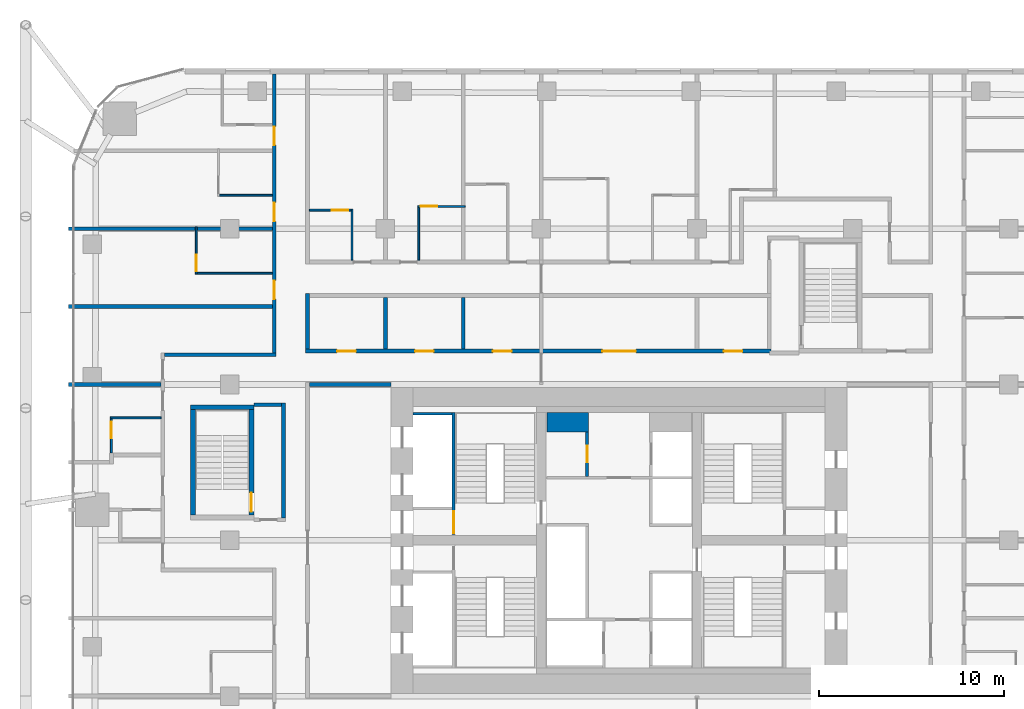
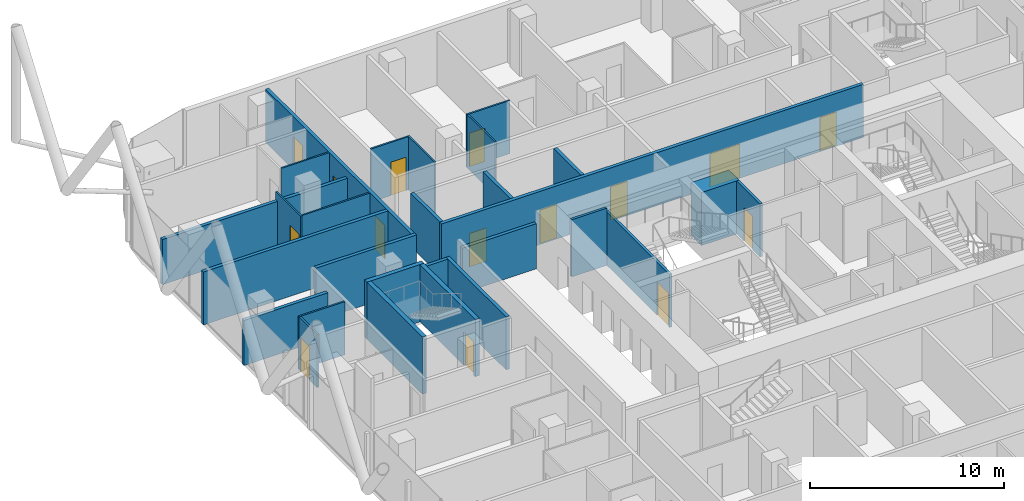
# One storey, part 33 of 38: 28 walls, 15 doors, 15 openings.
"""IFC4 building model written with IfcOpenShell, lengths in metres."""

import ifcopenshell
import ifcopenshell.guid

model = None  # the IFC model being written
_history = None  # IfcOwnerHistory: only IFC2X3 demands one
_inside = {}  # id of a spatial element -> (the spatial element, [elements in it])
_under = {}  # id of a project, library or spatial element -> (it, [spatial elements below it])
_declared = {}  # id of a project -> (the project, [libraries it declares])
_typed = {}  # id of a type object -> (the type object, [elements of that type])
_made_of = {}  # id of a material, layer set ... -> (it, [elements and type objects made of it])


def new_model(schema):
    """Start an empty IFC model of exactly this schema.

    Asked for "IFC4X3", IfcOpenShell would pick the latest addendum, in which some entities
    have other attributes; the version numbers below select the first issue.
    IFC2X3 requires an IfcOwnerHistory on every rooted entity: one is made here for all.
    """
    global model, _history
    if schema == "IFC4X3":
        model = ifcopenshell.file(schema_version=(4, 3, 0, 0))
    else:
        model = ifcopenshell.file(schema=schema)
    _inside.clear()
    _under.clear()
    _declared.clear()
    _typed.clear()
    _made_of.clear()
    _history = None
    if model.schema == "IFC2X3":
        org = make("IfcOrganization", Name="unknown")
        user = make(
            "IfcPersonAndOrganization",
            ThePerson=make("IfcPerson", FamilyName="unknown"),
            TheOrganization=org,
        )
        app = make(
            "IfcApplication",
            ApplicationDeveloper=org,
            Version="unknown",
            ApplicationFullName="unknown",
            ApplicationIdentifier="unknown",
        )
        _history = make(
            "IfcOwnerHistory",
            OwningUser=user,
            OwningApplication=app,
            ChangeAction="ADDED",
            CreationDate=0,
        )
    return model


def make(cls, **values):
    """One entity of the class cls with the attributes given. An attribute that is None is left unset."""
    return model.create_entity(
        cls, **{name: value for name, value in values.items() if value is not None}
    )


def rooted(cls, **values):
    """An entity with a GlobalId (a new one), such as an element, a storey or a relation."""
    return make(cls, GlobalId=ifcopenshell.guid.new(), OwnerHistory=_history, **values)


def si_unit(unit_type, name, prefix=None):
    """IfcSIUnit, for example si_unit("LENGTHUNIT", "METRE", prefix="MILLI")."""
    return make("IfcSIUnit", UnitType=unit_type, Prefix=prefix, Name=name)


def assignment(units):
    """IfcUnitAssignment: the units of a project."""
    return None if units is None else make("IfcUnitAssignment", Units=units)


def point(xyz):
    """IfcCartesianPoint."""
    return None if xyz is None else make("IfcCartesianPoint", Coordinates=xyz)


def direction(xyz):
    """IfcDirection."""
    return None if xyz is None else make("IfcDirection", DirectionRatios=xyz)


def frame(location, z_axis=None, x_axis=None):
    """IfcAxis2Placement3D, a coordinate frame: its origin and axes. An axis left out is left unset."""
    return make(
        "IfcAxis2Placement3D",
        Location=point(location),
        Axis=direction(z_axis),
        RefDirection=direction(x_axis),
    )


def frame_2d(location, x_axis=None):
    """IfcAxis2Placement2D, a coordinate frame in the plane: its origin and x axis."""
    return make(
        "IfcAxis2Placement2D", Location=point(location), RefDirection=direction(x_axis)
    )


def origin():
    """The frame at (0, 0, 0) with its axes left unset."""
    return frame((0.0, 0.0, 0.0))


def place(relative_to, where):
    """IfcLocalPlacement: puts the frame where relative to a parent placement (None: the world)."""
    return make(
        "IfcLocalPlacement", PlacementRelTo=relative_to, RelativePlacement=where
    )


def context(
    kind, dimensions, precision=None, world=None, true_north=None, identifier=None
):
    """IfcGeometricRepresentationContext, for example the 3D "Model" context."""
    return make(
        "IfcGeometricRepresentationContext",
        ContextIdentifier=identifier,
        ContextType=kind,
        CoordinateSpaceDimension=dimensions,
        Precision=precision,
        WorldCoordinateSystem=world,
        TrueNorth=true_north,
    )


def subcontext(parent, identifier, kind, view, scale=None):
    """IfcGeometricRepresentationSubContext, for example "Body" below "Model"."""
    return make(
        "IfcGeometricRepresentationSubContext",
        ContextIdentifier=identifier,
        ContextType=kind,
        ParentContext=parent,
        TargetScale=scale,
        TargetView=view,
    )


def project(units=None, contexts=None):
    """IfcProject with its units and contexts."""
    return rooted(
        "IfcProject",
        Name="project",
        RepresentationContexts=contexts,
        UnitsInContext=assignment(units),
    )


def spatial(cls, under=None, at=None, **own):
    """A site, building, storey or space (cls), placed at a placement, below another one or the project."""
    s = rooted(cls, ObjectPlacement=at, **own)
    if under is not None:
        _under.setdefault(under.id(), (under, []))[1].append(s)
    return s


def profile(cls, at=None, kind="AREA", **sizes):
    """A parametric profile (cls). Its sizes go by their IFC names, for example OverallWidth=200.0."""
    return make(cls, ProfileType=kind, Position=at, **sizes)


def rectangle(**sizes):
    """IfcRectangleProfileDef."""
    return profile("IfcRectangleProfileDef", **sizes)


def extrude(swept, where, along, depth):
    """IfcExtrudedAreaSolid: the profile swept, set in the frame where, extruded along a direction by depth."""
    return make(
        "IfcExtrudedAreaSolid",
        SweptArea=swept,
        Position=where,
        ExtrudedDirection=direction(along),
        Depth=depth,
    )


def shape(context_of_items, identifier, shape_type, items):
    """IfcShapeRepresentation: the items that make up one representation, for example the "Body"."""
    return make(
        "IfcShapeRepresentation",
        ContextOfItems=context_of_items,
        RepresentationIdentifier=identifier,
        RepresentationType=shape_type,
        Items=items,
    )


def material(Name=None, Category=None):
    """IfcMaterial."""
    return make("IfcMaterial", Name=Name, Category=Category)


def layer(
    of_material, thickness, ventilated=None, Name=None, Category=None, Priority=None
):
    """IfcMaterialLayer: one layer of a wall or slab, of a material (None: an air gap)."""
    return make(
        "IfcMaterialLayer",
        Material=of_material,
        LayerThickness=thickness,
        IsVentilated=ventilated,
        Name=Name,
        Category=Category,
        Priority=Priority,
    )


def layer_set(layers, Name=None):
    """IfcMaterialLayerSet."""
    return make("IfcMaterialLayerSet", MaterialLayers=layers, LayerSetName=Name)


def made_of(thing, what):
    """Note that an element or type object is made of a material, layer set ...; save() writes the relation."""
    if what is not None:
        _made_of.setdefault(what.id(), (what, []))[1].append(thing)
    return thing


def type_object(cls, material=None, **own):
    """A type object (cls), such as IfcWallType, which elements share."""
    return made_of(rooted(cls, **own), material)


def element(
    cls,
    number,
    at=None,
    inside=None,
    cuts=None,
    type_object=None,
    material=None,
    context=None,
    identifier="Body",
    shape_type=None,
    held_by="IfcProductDefinitionShape",
    body=None,
    shapes=None,
    **own,
):
    """One element of the class cls, such as IfcWall. Its Tag is "e" and its number.

    at: its placement. inside: the storey or other place that contains it. cuts: it is an
    opening in that element (IfcRelVoidsElement). A single representation is given by context,
    identifier, shape_type and body (its items); several are given by shapes. held_by: the class
    of the entity that holds the representations. save() writes the other relations.
    """
    e = rooted(cls, Tag="e%d" % number, ObjectPlacement=at, **own)
    if body is not None:
        shapes = [shape(context, identifier, shape_type, body)]
    if shapes is not None:
        e.Representation = make(held_by, Representations=shapes)
    if inside is not None:
        _inside.setdefault(inside.id(), (inside, []))[1].append(e)
    if cuts is not None:
        rooted(
            "IfcRelVoidsElement", RelatingBuildingElement=cuts, RelatedOpeningElement=e
        )
    if type_object is not None:
        _typed.setdefault(type_object.id(), (type_object, []))[1].append(e)
    return made_of(e, material)


def fill(opening, filler):
    """IfcRelFillsElement: the door or window that sits in an opening."""
    return rooted(
        "IfcRelFillsElement",
        RelatingOpeningElement=opening,
        RelatedBuildingElement=filler,
    )


def aggregate(whole, parts):
    """IfcRelAggregates: a whole, such as a stair, and the parts it consists of."""
    return rooted("IfcRelAggregates", RelatingObject=whole, RelatedObjects=parts)


def save(model, path):
    """Write the relations noted so far, then the file.

    IfcRelAggregates (storeys below a building ...), IfcRelContainedInSpatialStructure (elements
    in a storey), IfcRelDefinesByType, IfcRelAssociatesMaterial and IfcRelDeclares: one each for
    every whole, place, type object, material and project.
    """
    for whole, parts in _under.values():
        aggregate(whole, parts)
    for where, things in _inside.values():
        rooted(
            "IfcRelContainedInSpatialStructure",
            RelatedElements=things,
            RelatingStructure=where,
        )
    for kind, things in _typed.values():
        rooted("IfcRelDefinesByType", RelatedObjects=things, RelatingType=kind)
    for what, things in _made_of.values():
        rooted("IfcRelAssociatesMaterial", RelatedObjects=things, RelatingMaterial=what)
    for by, libraries in _declared.values():
        rooted("IfcRelDeclares", RelatingContext=by, RelatedDefinitions=libraries)
    model.write(path)


model = new_model("IFC4")

# Units and contexts
model_context = context("Model", 3, precision=1e-05, world=origin(), true_north=direction((0.0, 1.0)))
body_context = subcontext(model_context, "Body", "Model", "MODEL_VIEW")
ifc_project = project(units=[si_unit("LENGTHUNIT", "METRE"), si_unit("AREAUNIT", "SQUARE_METRE"), si_unit("VOLUMEUNIT", "CUBIC_METRE"), si_unit("PLANEANGLEUNIT", "RADIAN"), si_unit("MASSUNIT", "GRAM", prefix="KILO")], contexts=[model_context])

# Site, building, storey
site_placement = place(None, origin())
site = spatial("IfcSite", under=ifc_project, at=site_placement, CompositionType="ELEMENT")
building_placement = place(site_placement, origin())
building = spatial("IfcBuilding", under=site, at=building_placement, Name="Marenta Gate Hotel Tower", CompositionType="ELEMENT")
storey_placement = place(building_placement, frame((0.0, 0.0, 54.5)))
storey = spatial("IfcBuildingStorey", under=building, at=storey_placement, Name="L11", CompositionType="ELEMENT", Elevation=54.5)

# Walls
ifc_material_1 = material(Name="Concrete blockwork", Category="masonry")
ifc_layer_1 = layer(ifc_material_1, 0.199951171875)
ifc_layer_set_1 = layer_set([ifc_layer_1], Name="Concrete blockwork")
wall_type_1 = type_object("IfcWallType", Name="Core boundary wall 200 REI 180", PredefinedType="PARTITIONING", material=ifc_layer_set_1)
wall_1_placement = place(storey_placement, frame((-16.699951171875, 16.800048828125, 0.0), z_axis=(0.0, 0.0, 1.0), x_axis=(1.0, 0.0, 0.0)))
element("IfcWall", 1, at=wall_1_placement, inside=storey, type_object=wall_type_1, Name="L11-CP-EW-WN", PredefinedType="PARTITIONING", context=body_context, shape_type="SweptSolid", body=[
    extrude(rectangle(XDim=4.39990234375, YDim=0.199951171875, at=frame_2d((2.199951171875, 0.0))), origin(), (0.0, 0.0, 1.0), 2.840087890625),
])
ifc_material_2 = material(Name="Concrete blockwork", Category="masonry")
ifc_layer_2 = layer(ifc_material_2, 1.050048828125)
ifc_layer_set_2 = layer_set([ifc_layer_2], Name="Concrete blockwork")
wall_type_2 = type_object("IfcWallType", Name="Core room partition 1050 REI 180", PredefinedType="PARTITIONING", material=ifc_layer_set_2)
wall_2_placement = place(storey_placement, frame((-3.89990234375, 14.77490234375, 0.0), z_axis=(0.0, 0.0, 1.0), x_axis=(1.0, 0.0, 0.0)))
element("IfcWall", 2, at=wall_2_placement, inside=storey, type_object=wall_type_2, Name="L11-CP-CW-W-riser-N", PredefinedType="PARTITIONING", context=body_context, shape_type="SweptSolid", body=[
    extrude(rectangle(XDim=2.25, YDim=1.050048828125, at=frame_2d((1.125, 0.0))), origin(), (0.0, 0.0, 1.0), 3.340087890625),
])

# Wall, opening, door
ifc_material_3 = material(Name="Concrete blockwork", Category="masonry")
ifc_layer_3 = layer(ifc_material_3, 0.14990234375)
ifc_layer_set_3 = layer_set([ifc_layer_3], Name="Concrete blockwork")
wall_type_3 = type_object("IfcWallType", Name="Core room partition 150 REI 180", PredefinedType="PARTITIONING", material=ifc_layer_set_3)
wall_3_placement = place(storey_placement, frame((-1.72509765625, 11.85009765625, 0.0), z_axis=(0.0, 0.0, 1.0), x_axis=(0.0, 1.0, 0.0)))
wall_3 = element("IfcWall", 3, at=wall_3_placement, inside=storey, type_object=wall_type_3, Name="L11-CP-CW-W-riser-front", PredefinedType="PARTITIONING", context=body_context, shape_type="SweptSolid", body=[
    extrude(rectangle(XDim=2.39990234375, YDim=0.14990234375, at=frame_2d((1.199951171875, 0.0))), origin(), (0.0, 0.0, 1.0), 3.340087890625),
])
opening_1_placement = place(wall_3_placement, frame((0.75, 0.0, 0.0)))
opening_1 = element("IfcOpeningElement", 4, at=opening_1_placement, cuts=wall_3, Name="Opening RD-CRISER", PredefinedType="OPENING", context=body_context, shape_type="SweptSolid", body=[
    extrude(rectangle(XDim=0.89990234375, YDim=2.10009765625, at=frame_2d((0.449951171875, 1.050048828125))), frame((0.0, 0.074951171875, 0.0), z_axis=(0.0, -1.0, 0.0), x_axis=(1.0, 0.0, 0.0)), (0.0, 0.0, 1.0), 0.14990234375),
])
ifc_material_4 = material(Name="Steel", Category="steel")
door_type_1 = type_object("IfcDoorType", Name="Core riser door 900x2100 FD60", OperationType="SINGLE_SWING_LEFT", PredefinedType="DOOR", material=ifc_material_4)
door_1_placement = place(opening_1_placement, origin())
door_1 = element("IfcDoor", 5, at=door_1_placement, inside=storey, type_object=door_type_1, Name="RD-CRISER", OperationType="SINGLE_SWING_LEFT", OverallHeight=2.10009765625, OverallWidth=0.89990234375, PredefinedType="DOOR", context=body_context, shape_type="SweptSolid", body=[
    extrude(rectangle(XDim=0.89990234375, YDim=2.10009765625, at=frame_2d((0.449951171875, 1.050048828125))), frame((0.0, 0.02490234375, 0.0), z_axis=(0.0, -1.0, 0.0), x_axis=(1.0, 0.0, 0.0)), (0.0, 0.0, 1.0), 0.050048828125),
])
fill(opening_1, door_1)

# Wall
ifc_material_5 = material(Name="Concrete C40", Category="concrete")
ifc_layer_4 = layer(ifc_material_5, 0.14990234375)
ifc_layer_set_4 = layer_set([ifc_layer_4], Name="Concrete C40")
wall_type_4 = type_object("IfcWallType", Name="Core shaft wall 150 REI 180", PredefinedType="SHEAR", material=ifc_layer_set_4)
wall_4_placement = place(storey_placement, frame((-11.10009765625, 15.22509765625, 0.0), z_axis=(0.0, 0.0, 1.0), x_axis=(1.0, 0.0, 0.0)))
element("IfcWall", 6, at=wall_4_placement, inside=storey, type_object=wall_type_4, Name="L11-SHF-SW-WN-5", PredefinedType="SHEAR", context=body_context, shape_type="SweptSolid", body=[
    extrude(rectangle(XDim=2.10009765625, YDim=0.14990234375, at=frame_2d((1.050048828125, 0.0))), origin(), (0.0, 0.0, 1.0), 3.60009765625),
])

# Wall, opening, door
ifc_material_6 = material(Name="Concrete C40", Category="concrete")
ifc_layer_5 = layer(ifc_material_6, 0.14990234375)
ifc_layer_set_5 = layer_set([ifc_layer_5], Name="Concrete C40")
wall_type_5 = type_object("IfcWallType", Name="Core stair enclosure wall 150 REI 180", PredefinedType="SHEAR", material=ifc_layer_set_5)
wall_5_placement = place(storey_placement, frame((-8.925048828125, 8.699951171875, 0.0), z_axis=(0.0, 0.0, 1.0), x_axis=(0.0, 1.0, 0.0)))
wall_5 = element("IfcWall", 7, at=wall_5_placement, inside=storey, type_object=wall_type_5, Name="L11-SHF-SW-WN-3", PredefinedType="SHEAR", context=body_context, shape_type="SweptSolid", body=[
    extrude(rectangle(XDim=6.60009765625, YDim=0.14990234375, at=frame_2d((3.300048828125, 0.0))), origin(), (0.0, 0.0, 1.0), 3.340087890625),
])
opening_2_placement = place(wall_5_placement, frame((0.074951171875, 0.0, 0.0)))
opening_2 = element("IfcOpeningElement", 8, at=opening_2_placement, cuts=wall_5, Name="Opening SD-WN", PredefinedType="OPENING", context=body_context, shape_type="SweptSolid", body=[
    extrude(rectangle(XDim=1.199951171875, YDim=2.10009765625, at=frame_2d((0.60009765625, 1.050048828125))), frame((0.0, 0.074951171875, 0.0), z_axis=(0.0, -1.0, 0.0), x_axis=(1.0, 0.0, 0.0)), (0.0, 0.0, 1.0), 0.14990234375),
])
ifc_material_7 = material(Name="Steel", Category="steel")
door_type_2 = type_object("IfcDoorType", Name="Core stair door 1200x2100 FD60", OperationType="SINGLE_SWING_LEFT", PredefinedType="DOOR", material=ifc_material_7)
door_2_placement = place(opening_2_placement, origin())
door_2 = element("IfcDoor", 9, at=door_2_placement, inside=storey, type_object=door_type_2, Name="SD-WN", OperationType="SINGLE_SWING_LEFT", OverallHeight=2.10009765625, OverallWidth=1.199951171875, PredefinedType="DOOR", context=body_context, shape_type="SweptSolid", body=[
    extrude(rectangle(XDim=1.199951171875, YDim=2.10009765625, at=frame_2d((0.60009765625, 1.050048828125))), frame((0.0, 0.02490234375, 0.0), z_axis=(0.0, -1.0, 0.0), x_axis=(1.0, 0.0, 0.0)), (0.0, 0.0, 1.0), 0.050048828125),
])
fill(opening_2, door_2)

# Walls
ifc_material_8 = material(Name="Concrete C40", Category="concrete")
ifc_layer_6 = layer(ifc_material_8, 0.25)
ifc_layer_set_6 = layer_set([ifc_layer_6], Name="Concrete C40")
wall_type_6 = type_object("IfcWallType", Name="Remote stair enclosure wall 250 REI 180", PredefinedType="SHEAR", material=ifc_layer_set_6)
wall_6_placement = place(storey_placement, frame((-23.10009765625, 15.574951171875, 0.10009765625), z_axis=(0.0, 0.0, 1.0), x_axis=(1.0, 0.0, 0.0)))
element("IfcWall", 10, at=wall_6_placement, inside=storey, type_object=wall_type_6, Name="L11-RS-Z1-3-W2", PredefinedType="SHEAR", context=body_context, shape_type="SweptSolid", body=[
    extrude(rectangle(XDim=3.400146484375, YDim=0.25, at=frame_2d((1.7001953125, 0.0))), origin(), (0.0, 0.0, 1.0), 3.599853515625),
])
wall_7_placement = place(storey_placement, frame((-22.97509765625, 9.75, 0.10009765625), z_axis=(0.0, 0.0, 1.0), x_axis=(0.0, 1.0, 0.0)))
element("IfcWall", 11, at=wall_7_placement, inside=storey, type_object=wall_type_6, Name="L11-RS-Z1-3-W3", PredefinedType="SHEAR", context=body_context, shape_type="SweptSolid", body=[
    extrude(rectangle(XDim=5.699951171875, YDim=0.25, at=frame_2d((2.85009765625, 0.0))), origin(), (0.0, 0.0, 1.0), 3.599853515625),
])

# Wall, opening, door
wall_8_placement = place(storey_placement, frame((-19.824951171875, 9.75, 0.10009765625), z_axis=(0.0, 0.0, 1.0), x_axis=(0.0, 1.0, 0.0)))
wall_8 = element("IfcWall", 12, at=wall_8_placement, inside=storey, type_object=wall_type_6, Name="L11-RS-Z1-3-W4", PredefinedType="SHEAR", context=body_context, shape_type="SweptSolid", body=[
    extrude(rectangle(XDim=5.699951171875, YDim=0.25, at=frame_2d((2.85009765625, 0.0))), origin(), (0.0, 0.0, 1.0), 3.599853515625),
])
opening_3_placement = place(wall_8_placement, frame((0.199951171875, 0.0, 0.0)))
opening_3 = element("IfcOpeningElement", 13, at=opening_3_placement, cuts=wall_8, Name="Opening VD", PredefinedType="OPENING", context=body_context, shape_type="SweptSolid", body=[
    extrude(rectangle(XDim=1.0, YDim=2.10009765625, at=frame_2d((0.5, 1.050048828125))), frame((0.0, 0.125, 0.0), z_axis=(0.0, -1.0, 0.0), x_axis=(1.0, 0.0, 0.0)), (0.0, 0.0, 1.0), 0.25),
])
ifc_material_9 = material(Name="Steel", Category="steel")
door_type_3 = type_object("IfcDoorType", Name="Stair vestibule door 1000x2100 FD60", OperationType="SINGLE_SWING_LEFT", PredefinedType="DOOR", material=ifc_material_9)
door_3_placement = place(opening_3_placement, origin())
door_3 = element("IfcDoor", 14, at=door_3_placement, inside=storey, type_object=door_type_3, Name="VD", OperationType="SINGLE_SWING_LEFT", OverallHeight=2.10009765625, OverallWidth=1.0, PredefinedType="DOOR", context=body_context, shape_type="SweptSolid", body=[
    extrude(rectangle(XDim=1.0, YDim=2.10009765625, at=frame_2d((0.5, 1.050048828125))), frame((0.0, 0.02490234375, 0.0), z_axis=(0.0, -1.0, 0.0), x_axis=(1.0, 0.0, 0.0)), (0.0, 0.0, 1.0), 0.050048828125),
])
fill(opening_3, door_3)

# Wall
ifc_material_10 = material(Name="Concrete blockwork", Category="masonry")
ifc_layer_7 = layer(ifc_material_10, 0.199951171875)
ifc_layer_set_7 = layer_set([ifc_layer_7], Name="Concrete blockwork")
wall_type_7 = type_object("IfcWallType", Name="Room corridor wall 200 EI 120", PredefinedType="PARTITIONING", material=ifc_layer_set_7)
wall_9_placement = place(storey_placement, frame((-16.800048828125, 18.699951171875, 0.0), z_axis=(0.0, 0.0, 1.0), x_axis=(0.0, 1.0, 0.0)))
element("IfcWall", 15, at=wall_9_placement, inside=storey, type_object=wall_type_7, Name="L11-PTN-W111", PredefinedType="PARTITIONING", context=body_context, shape_type="SweptSolid", body=[
    extrude(rectangle(XDim=3.0, YDim=0.199951171875, at=frame_2d((1.5, 0.0))), origin(), (0.0, 0.0, 1.0), 3.340087890625),
])

# Wall, openings, doors
wall_10_placement = place(storey_placement, frame((-16.89990234375, 18.60009765625, 0.0), z_axis=(0.0, 0.0, 1.0), x_axis=(1.0, 0.0, 0.0)))
wall_10 = element("IfcWall", 16, at=wall_10_placement, inside=storey, type_object=wall_type_7, Name="L11-PTN-W120", PredefinedType="PARTITIONING", context=body_context, shape_type="SweptSolid", body=[
    extrude(rectangle(XDim=25.099853515625, YDim=0.199951171875, at=frame_2d((12.5498046875, 0.0))), origin(), (0.0, 0.0, 1.0), 3.340087890625),
])
opening_4_placement = place(wall_10_placement, frame((1.699951171875, 0.0, 0.0)))
opening_4 = element("IfcOpeningElement", 17, at=opening_4_placement, cuts=wall_10, Name="Opening G04-01", PredefinedType="OPENING", context=body_context, shape_type="SweptSolid", body=[
    extrude(rectangle(XDim=1.0, YDim=2.10009765625, at=frame_2d((0.5, 1.050048828125))), frame((0.0, 0.10009765625, 0.0), z_axis=(0.0, -1.0, 0.0), x_axis=(1.0, 0.0, 0.0)), (0.0, 0.0, 1.0), 0.199951171875),
])
opening_5_placement = place(wall_10_placement, frame((16.0, 0.0, 0.0)))
opening_5 = element("IfcOpeningElement", 18, at=opening_5_placement, cuts=wall_10, Name="Opening G04-02", PredefinedType="OPENING", context=body_context, shape_type="SweptSolid", body=[
    extrude(rectangle(XDim=1.800048828125, YDim=2.10009765625, at=frame_2d((0.89990234375, 1.050048828125))), frame((0.0, 0.10009765625, 0.0), z_axis=(0.0, -1.0, 0.0), x_axis=(1.0, 0.0, 0.0)), (0.0, 0.0, 1.0), 0.199951171875),
])
opening_6_placement = place(wall_10_placement, frame((22.550048828125, 0.0, 0.0)))
opening_6 = element("IfcOpeningElement", 19, at=opening_6_placement, cuts=wall_10, Name="Opening G04-03", PredefinedType="OPENING", context=body_context, shape_type="SweptSolid", body=[
    extrude(rectangle(XDim=1.0, YDim=2.10009765625, at=frame_2d((0.5, 1.050048828125))), frame((0.0, 0.10009765625, 0.0), z_axis=(0.0, -1.0, 0.0), x_axis=(1.0, 0.0, 0.0)), (0.0, 0.0, 1.0), 0.199951171875),
])
opening_7_placement = place(wall_10_placement, frame((5.89990234375, 0.0, 0.0)))
opening_7 = element("IfcOpeningElement", 20, at=opening_7_placement, cuts=wall_10, Name="Opening G04-78", PredefinedType="OPENING", context=body_context, shape_type="SweptSolid", body=[
    extrude(rectangle(XDim=1.0, YDim=2.10009765625, at=frame_2d((0.5, 1.050048828125))), frame((0.0, 0.10009765625, 0.0), z_axis=(0.0, -1.0, 0.0), x_axis=(1.0, 0.0, 0.0)), (0.0, 0.0, 1.0), 0.199951171875),
])
opening_8_placement = place(wall_10_placement, frame((10.10009765625, 0.0, 0.0)))
opening_8 = element("IfcOpeningElement", 21, at=opening_8_placement, cuts=wall_10, Name="Opening G04-79", PredefinedType="OPENING", context=body_context, shape_type="SweptSolid", body=[
    extrude(rectangle(XDim=1.0, YDim=2.10009765625, at=frame_2d((0.5, 1.050048828125))), frame((0.0, 0.10009765625, 0.0), z_axis=(0.0, -1.0, 0.0), x_axis=(1.0, 0.0, 0.0)), (0.0, 0.0, 1.0), 0.199951171875),
])
ifc_material_11 = material(Name="Timber door leaf", Category="wood")
door_type_4 = type_object("IfcDoorType", Name="Room amenity door 1000x2100 EI 60", OperationType="NOTDEFINED", PredefinedType="DOOR", material=ifc_material_11)
door_4_placement = place(opening_6_placement, origin())
door_4 = element("IfcDoor", 22, at=door_4_placement, inside=storey, type_object=door_type_4, Name="L11-PD-D003", OperationType="SINGLE_SWING_LEFT", OverallHeight=2.10009765625, OverallWidth=1.0, PredefinedType="DOOR", context=body_context, shape_type="SweptSolid", body=[
    extrude(rectangle(XDim=1.0, YDim=2.10009765625, at=frame_2d((0.5, 1.050048828125))), frame((0.0, 0.02490234375, 0.0), z_axis=(0.0, -1.0, 0.0), x_axis=(1.0, 0.0, 0.0)), (0.0, 0.0, 1.0), 0.050048828125),
])
fill(opening_6, door_4)
door_5_placement = place(opening_7_placement, origin())
door_5 = element("IfcDoor", 23, at=door_5_placement, inside=storey, type_object=door_type_4, Name="L11-PD-D078", OperationType="SINGLE_SWING_RIGHT", OverallHeight=2.10009765625, OverallWidth=1.0, PredefinedType="DOOR", context=body_context, shape_type="SweptSolid", body=[
    extrude(rectangle(XDim=1.0, YDim=2.10009765625, at=frame_2d((0.5, 1.050048828125))), frame((0.0, 0.02490234375, 0.0), z_axis=(0.0, -1.0, 0.0), x_axis=(1.0, 0.0, 0.0)), (0.0, 0.0, 1.0), 0.050048828125),
])
fill(opening_7, door_5)
door_6_placement = place(opening_8_placement, origin())
door_6 = element("IfcDoor", 24, at=door_6_placement, inside=storey, type_object=door_type_4, Name="L11-PD-D079", OperationType="SINGLE_SWING_LEFT", OverallHeight=2.10009765625, OverallWidth=1.0, PredefinedType="DOOR", context=body_context, shape_type="SweptSolid", body=[
    extrude(rectangle(XDim=1.0, YDim=2.10009765625, at=frame_2d((0.5, 1.050048828125))), frame((0.0, 0.02490234375, 0.0), z_axis=(0.0, -1.0, 0.0), x_axis=(1.0, 0.0, 0.0)), (0.0, 0.0, 1.0), 0.050048828125),
])
fill(opening_8, door_6)
ifc_material_12 = material(Name="Timber door leaf", Category="wood")
door_type_5 = type_object("IfcDoorType", Name="Room amenity door 1800x2100 EI 60", OperationType="DOUBLE_DOOR_SINGLE_SWING", PredefinedType="DOOR", material=ifc_material_12)
door_7_placement = place(opening_5_placement, origin())
door_7 = element("IfcDoor", 25, at=door_7_placement, inside=storey, type_object=door_type_5, Name="L11-PD-D002", OperationType="DOUBLE_DOOR_SINGLE_SWING", OverallHeight=2.10009765625, OverallWidth=1.800048828125, PredefinedType="DOOR", context=body_context, shape_type="SweptSolid", body=[
    extrude(rectangle(XDim=1.800048828125, YDim=2.10009765625, at=frame_2d((0.89990234375, 1.050048828125))), frame((0.0, 0.02490234375, 0.0), z_axis=(0.0, -1.0, 0.0), x_axis=(1.0, 0.0, 0.0)), (0.0, 0.0, 1.0), 0.050048828125),
])
fill(opening_5, door_7)
ifc_material_13 = material(Name="Hollow steel door set", Category="steel")
door_type_6 = type_object("IfcDoorType", Name="Room service door 1000x2100 EI 60", OperationType="NOTDEFINED", PredefinedType="DOOR", material=ifc_material_13)
door_8_placement = place(opening_4_placement, origin())
door_8 = element("IfcDoor", 26, at=door_8_placement, inside=storey, type_object=door_type_6, Name="L11-PD-D001", OperationType="SINGLE_SWING_RIGHT", OverallHeight=2.10009765625, OverallWidth=1.0, PredefinedType="DOOR", context=body_context, shape_type="SweptSolid", body=[
    extrude(rectangle(XDim=1.0, YDim=2.10009765625, at=frame_2d((0.5, 1.050048828125))), frame((0.0, 0.02490234375, 0.0), z_axis=(0.0, -1.0, 0.0), x_axis=(1.0, 0.0, 0.0)), (0.0, 0.0, 1.0), 0.050048828125),
])
fill(opening_4, door_8)

# Wall
ifc_material_14 = material(Name="Gypsum board on steel stud", Category="steel")
ifc_layer_8 = layer(ifc_material_14, 0.199951171875)
ifc_layer_set_8 = layer_set([ifc_layer_8], Name="Gypsum board on steel stud")
wall_type_8 = type_object("IfcWallType", Name="Room corridor wall 200 EI 60", PredefinedType="PARTITIONING", material=ifc_layer_set_8)
wall_11_placement = place(storey_placement, frame((-24.5, 18.39990234375, 0.0), z_axis=(0.0, 0.0, 1.0), x_axis=(1.0, 0.0, 0.0)))
element("IfcWall", 27, at=wall_11_placement, inside=storey, type_object=wall_type_8, Name="L11-PTN-W116", PredefinedType="PARTITIONING", context=body_context, shape_type="SweptSolid", body=[
    extrude(rectangle(XDim=6.0, YDim=0.199951171875, at=frame_2d((3.0, 0.0))), origin(), (0.0, 0.0, 1.0), 3.340087890625),
])

# Wall, openings, doors
wall_12_placement = place(storey_placement, frame((-18.60009765625, 18.5, 0.0), z_axis=(0.0, 0.0, 1.0), x_axis=(0.0, 1.0, 0.0)))
wall_12 = element("IfcWall", 28, at=wall_12_placement, inside=storey, type_object=wall_type_8, Name="L11-PTN-W119", PredefinedType="PARTITIONING", context=body_context, shape_type="SweptSolid", body=[
    extrude(rectangle(XDim=15.0400390625, YDim=0.199951171875, at=frame_2d((7.52001953125, 0.0))), origin(), (0.0, 0.0, 1.0), 3.340087890625),
])
opening_9_placement = place(wall_12_placement, frame((2.89990234375, 0.0, 0.0)))
opening_9 = element("IfcOpeningElement", 29, at=opening_9_placement, cuts=wall_12, Name="Opening G04-61", PredefinedType="OPENING", context=body_context, shape_type="SweptSolid", body=[
    extrude(rectangle(XDim=1.0, YDim=2.10009765625, at=frame_2d((0.5, 1.050048828125))), frame((0.0, 0.10009765625, 0.0), z_axis=(0.0, -1.0, 0.0), x_axis=(1.0, 0.0, 0.0)), (0.0, 0.0, 1.0), 0.199951171875),
])
opening_10_placement = place(wall_12_placement, frame((7.10009765625, 0.0, 0.0)))
opening_10 = element("IfcOpeningElement", 30, at=opening_10_placement, cuts=wall_12, Name="Opening G04-63", PredefinedType="OPENING", context=body_context, shape_type="SweptSolid", body=[
    extrude(rectangle(XDim=1.0, YDim=2.10009765625, at=frame_2d((0.5, 1.050048828125))), frame((0.0, 0.10009765625, 0.0), z_axis=(0.0, -1.0, 0.0), x_axis=(1.0, 0.0, 0.0)), (0.0, 0.0, 1.0), 0.199951171875),
])
opening_11_placement = place(wall_12_placement, frame((11.199951171875, 0.0, 0.0)))
opening_11 = element("IfcOpeningElement", 31, at=opening_11_placement, cuts=wall_12, Name="Opening G04-65", PredefinedType="OPENING", context=body_context, shape_type="SweptSolid", body=[
    extrude(rectangle(XDim=1.0, YDim=2.10009765625, at=frame_2d((0.5, 1.050048828125))), frame((0.0, 0.10009765625, 0.0), z_axis=(0.0, -1.0, 0.0), x_axis=(1.0, 0.0, 0.0)), (0.0, 0.0, 1.0), 0.199951171875),
])
ifc_material_15 = material(Name="Timber door leaf", Category="wood")
door_type_7 = type_object("IfcDoorType", Name="Guest room door 1000x2100 EI 30", OperationType="NOTDEFINED", PredefinedType="DOOR", material=ifc_material_15)
door_9_placement = place(opening_9_placement, origin())
door_9 = element("IfcDoor", 32, at=door_9_placement, inside=storey, type_object=door_type_7, Name="L11-PD-D061", OperationType="SINGLE_SWING_RIGHT", OverallHeight=2.10009765625, OverallWidth=1.0, PredefinedType="DOOR", context=body_context, shape_type="SweptSolid", body=[
    extrude(rectangle(XDim=1.0, YDim=2.10009765625, at=frame_2d((0.5, 1.050048828125))), frame((0.0, 0.02490234375, 0.0), z_axis=(0.0, -1.0, 0.0), x_axis=(1.0, 0.0, 0.0)), (0.0, 0.0, 1.0), 0.050048828125),
])
fill(opening_9, door_9)
door_10_placement = place(opening_10_placement, origin())
door_10 = element("IfcDoor", 33, at=door_10_placement, inside=storey, type_object=door_type_7, Name="L11-PD-D063", OperationType="SINGLE_SWING_RIGHT", OverallHeight=2.10009765625, OverallWidth=1.0, PredefinedType="DOOR", context=body_context, shape_type="SweptSolid", body=[
    extrude(rectangle(XDim=1.0, YDim=2.10009765625, at=frame_2d((0.5, 1.050048828125))), frame((0.0, 0.02490234375, 0.0), z_axis=(0.0, -1.0, 0.0), x_axis=(1.0, 0.0, 0.0)), (0.0, 0.0, 1.0), 0.050048828125),
])
fill(opening_10, door_10)
door_11_placement = place(opening_11_placement, origin())
door_11 = element("IfcDoor", 34, at=door_11_placement, inside=storey, type_object=door_type_7, Name="L11-PD-D065", OperationType="SINGLE_SWING_RIGHT", OverallHeight=2.10009765625, OverallWidth=1.0, PredefinedType="DOOR", context=body_context, shape_type="SweptSolid", body=[
    extrude(rectangle(XDim=1.0, YDim=2.10009765625, at=frame_2d((0.5, 1.050048828125))), frame((0.0, 0.02490234375, 0.0), z_axis=(0.0, -1.0, 0.0), x_axis=(1.0, 0.0, 0.0)), (0.0, 0.0, 1.0), 0.050048828125),
])
fill(opening_11, door_11)

# Walls
ifc_material_16 = material(Name="Concrete blockwork", Category="masonry")
ifc_layer_9 = layer(ifc_material_16, 0.199951171875)
ifc_layer_set_9 = layer_set([ifc_layer_9], Name="Concrete blockwork")
wall_type_9 = type_object("IfcWallType", Name="Room corridor wall 200 REI 180", PredefinedType="PARTITIONING", material=ifc_layer_set_9)
wall_13_placement = place(storey_placement, frame((-19.699951171875, 15.699951171875, 0.0), z_axis=(0.0, 0.0, 1.0), x_axis=(1.0, 0.0, 0.0)))
element("IfcWall", 35, at=wall_13_placement, inside=storey, type_object=wall_type_9, Name="L11-PTN-W108", PredefinedType="PARTITIONING", context=body_context, shape_type="SweptSolid", body=[
    extrude(rectangle(XDim=1.5, YDim=0.199951171875, at=frame_2d((0.75, 0.0))), origin(), (0.0, 0.0, 1.0), 3.340087890625),
])
wall_14_placement = place(storey_placement, frame((-18.10009765625, 9.60009765625, 0.0), z_axis=(0.0, 0.0, 1.0), x_axis=(0.0, 1.0, 0.0)))
element("IfcWall", 36, at=wall_14_placement, inside=storey, type_object=wall_type_9, Name="L11-PTN-W115", PredefinedType="PARTITIONING", context=body_context, shape_type="SweptSolid", body=[
    extrude(rectangle(XDim=6.199951171875, YDim=0.199951171875, at=frame_2d((3.10009765625, 0.0))), origin(), (0.0, 0.0, 1.0), 3.340087890625),
])
ifc_material_17 = material(Name="Gypsum board on steel stud", Category="steel")
ifc_layer_10 = layer(ifc_material_17, 0.10009765625)
ifc_layer_set_10 = layer_set([ifc_layer_10], Name="Gypsum board on steel stud")
wall_type_10 = type_object("IfcWallType", Name="Room partition 100", PredefinedType="PARTITIONING", material=ifc_layer_set_10)
wall_15_placement = place(storey_placement, frame((-10.800048828125, 23.5, 0.0), z_axis=(0.0, 0.0, 1.0), x_axis=(0.0, 1.0, 0.0)))
element("IfcWall", 37, at=wall_15_placement, inside=storey, type_object=wall_type_10, Name="L11-PTN-W096", PredefinedType="PARTITIONING", context=body_context, shape_type="SweptSolid", body=[
    extrude(rectangle(XDim=2.85009765625, YDim=0.10009765625, at=frame_2d((1.425048828125, 0.0))), origin(), (0.0, 0.0, 1.0), 3.340087890625),
])
wall_16_placement = place(storey_placement, frame((-14.39990234375, 23.5, 0.0), z_axis=(0.0, 0.0, 1.0), x_axis=(0.0, 1.0, 0.0)))
element("IfcWall", 38, at=wall_16_placement, inside=storey, type_object=wall_type_10, Name="L11-PTN-W104", PredefinedType="PARTITIONING", context=body_context, shape_type="SweptSolid", body=[
    extrude(rectangle(XDim=2.75, YDim=0.10009765625, at=frame_2d((1.375, 0.0))), origin(), (0.0, 0.0, 1.0), 3.340087890625),
])
wall_17_placement = place(storey_placement, frame((-27.425048828125, 15.0, 0.0), z_axis=(0.0, 0.0, 1.0), x_axis=(1.0, 0.0, 0.0)))
element("IfcWall", 39, at=wall_17_placement, inside=storey, type_object=wall_type_10, Name="L11-PTN-W105", PredefinedType="PARTITIONING", context=body_context, shape_type="SweptSolid", body=[
    extrude(rectangle(XDim=2.72509765625, YDim=0.10009765625, at=frame_2d((1.362548828125, 0.0))), origin(), (0.0, 0.0, 1.0), 3.340087890625),
])

# Wall, opening, door
wall_18_placement = place(storey_placement, frame((-22.800048828125, 22.75, 0.0), z_axis=(0.0, 0.0, 1.0), x_axis=(0.0, 1.0, 0.0)))
wall_18 = element("IfcWall", 40, at=wall_18_placement, inside=storey, type_object=wall_type_10, Name="L11-PTN-W132", PredefinedType="PARTITIONING", context=body_context, shape_type="SweptSolid", body=[
    extrude(rectangle(XDim=2.550048828125, YDim=0.10009765625, at=frame_2d((1.27490234375, 0.0))), origin(), (0.0, 0.0, 1.0), 3.340087890625),
])
opening_12_placement = place(wall_18_placement, frame((0.14990234375, 0.0, 0.0)))
opening_12 = element("IfcOpeningElement", 41, at=opening_12_placement, cuts=wall_18, Name="Opening G04-62", PredefinedType="OPENING", context=body_context, shape_type="SweptSolid", body=[
    extrude(rectangle(XDim=0.89990234375, YDim=2.10009765625, at=frame_2d((0.449951171875, 1.050048828125))), frame((0.0, 0.050048828125, 0.0), z_axis=(0.0, -1.0, 0.0), x_axis=(1.0, 0.0, 0.0)), (0.0, 0.0, 1.0), 0.10009765625),
])
ifc_material_18 = material(Name="Timber door leaf", Category="wood")
door_type_8 = type_object("IfcDoorType", Name="Guest bathroom door 900x2100", OperationType="NOTDEFINED", PredefinedType="DOOR", material=ifc_material_18)
door_12_placement = place(opening_12_placement, origin())
door_12 = element("IfcDoor", 42, at=door_12_placement, inside=storey, type_object=door_type_8, Name="L11-PD-D062", OperationType="SINGLE_SWING_RIGHT", OverallHeight=2.10009765625, OverallWidth=0.89990234375, PredefinedType="DOOR", context=body_context, shape_type="SweptSolid", body=[
    extrude(rectangle(XDim=0.89990234375, YDim=2.10009765625, at=frame_2d((0.449951171875, 1.050048828125))), frame((0.0, 0.02490234375, 0.0), z_axis=(0.0, -1.0, 0.0), x_axis=(1.0, 0.0, 0.0)), (0.0, 0.0, 1.0), 0.050048828125),
])
fill(opening_12, door_12)

# Wall
wall_19_placement = place(storey_placement, frame((-22.75, 22.800048828125, 0.0), z_axis=(0.0, 0.0, 1.0), x_axis=(1.0, 0.0, 0.0)))
element("IfcWall", 43, at=wall_19_placement, inside=storey, type_object=wall_type_10, Name="L11-PTN-W133", PredefinedType="PARTITIONING", context=body_context, shape_type="SweptSolid", body=[
    extrude(rectangle(XDim=4.050048828125, YDim=0.10009765625, at=frame_2d((2.02490234375, 0.0))), origin(), (0.0, 0.0, 1.0), 3.340087890625),
])

# Wall, opening, door
wall_20_placement = place(storey_placement, frame((-16.699951171875, 26.199951171875, 0.0), z_axis=(0.0, 0.0, 1.0), x_axis=(1.0, 0.0, 0.0)))
wall_20 = element("IfcWall", 44, at=wall_20_placement, inside=storey, type_object=wall_type_10, Name="L11-PTN-W141", PredefinedType="PARTITIONING", context=body_context, shape_type="SweptSolid", body=[
    extrude(rectangle(XDim=2.25, YDim=0.10009765625, at=frame_2d((1.125, 0.0))), origin(), (0.0, 0.0, 1.0), 3.340087890625),
])
opening_13_placement = place(wall_20_placement, frame((1.199951171875, 0.0, 0.0)))
opening_13 = element("IfcOpeningElement", 45, at=opening_13_placement, cuts=wall_20, Name="Opening G04-30", PredefinedType="OPENING", context=body_context, shape_type="SweptSolid", body=[
    extrude(rectangle(XDim=0.89990234375, YDim=2.10009765625, at=frame_2d((0.449951171875, 1.050048828125))), frame((0.0, 0.050048828125, 0.0), z_axis=(0.0, -1.0, 0.0), x_axis=(1.0, 0.0, 0.0)), (0.0, 0.0, 1.0), 0.10009765625),
])
door_13_placement = place(opening_13_placement, origin())
door_13 = element("IfcDoor", 46, at=door_13_placement, inside=storey, type_object=door_type_8, Name="L11-PD-D030", OperationType="SINGLE_SWING_LEFT", OverallHeight=2.10009765625, OverallWidth=0.89990234375, PredefinedType="DOOR", context=body_context, shape_type="SweptSolid", body=[
    extrude(rectangle(XDim=0.89990234375, YDim=2.10009765625, at=frame_2d((0.449951171875, 1.050048828125))), frame((0.0, 0.02490234375, 0.0), z_axis=(0.0, -1.0, 0.0), x_axis=(1.0, 0.0, 0.0)), (0.0, 0.0, 1.0), 0.050048828125),
])
fill(opening_13, door_13)

wall_21_placement = place(storey_placement, frame((-10.85009765625, 26.39990234375, 0.0), z_axis=(0.0, 0.0, 1.0), x_axis=(1.0, 0.0, 0.0)))
wall_21 = element("IfcWall", 47, at=wall_21_placement, inside=storey, type_object=wall_type_10, Name="L11-PTN-W142", PredefinedType="PARTITIONING", context=body_context, shape_type="SweptSolid", body=[
    extrude(rectangle(XDim=2.550048828125, YDim=0.10009765625, at=frame_2d((1.27490234375, 0.0))), origin(), (0.0, 0.0, 1.0), 3.340087890625),
])
opening_14_placement = place(wall_21_placement, frame((0.14990234375, 0.0, 0.0)))
opening_14 = element("IfcOpeningElement", 48, at=opening_14_placement, cuts=wall_21, Name="Opening G04-32", PredefinedType="OPENING", context=body_context, shape_type="SweptSolid", body=[
    extrude(rectangle(XDim=0.89990234375, YDim=2.10009765625, at=frame_2d((0.449951171875, 1.050048828125))), frame((0.0, 0.050048828125, 0.0), z_axis=(0.0, -1.0, 0.0), x_axis=(1.0, 0.0, 0.0)), (0.0, 0.0, 1.0), 0.10009765625),
])
door_14_placement = place(opening_14_placement, origin())
door_14 = element("IfcDoor", 49, at=door_14_placement, inside=storey, type_object=door_type_8, Name="L11-PD-D032", OperationType="SINGLE_SWING_RIGHT", OverallHeight=2.10009765625, OverallWidth=0.89990234375, PredefinedType="DOOR", context=body_context, shape_type="SweptSolid", body=[
    extrude(rectangle(XDim=0.89990234375, YDim=2.10009765625, at=frame_2d((0.449951171875, 1.050048828125))), frame((0.0, 0.02490234375, 0.0), z_axis=(0.0, -1.0, 0.0), x_axis=(1.0, 0.0, 0.0)), (0.0, 0.0, 1.0), 0.050048828125),
])
fill(opening_14, door_14)

# Wall
wall_22_placement = place(storey_placement, frame((-21.550048828125, 27.0, 0.0), z_axis=(0.0, 0.0, 1.0), x_axis=(1.0, 0.0, 0.0)))
element("IfcWall", 50, at=wall_22_placement, inside=storey, type_object=wall_type_10, Name="L11-PTN-W145", PredefinedType="PARTITIONING", context=body_context, shape_type="SweptSolid", body=[
    extrude(rectangle(XDim=2.85009765625, YDim=0.10009765625, at=frame_2d((1.425048828125, 0.0))), origin(), (0.0, 0.0, 1.0), 3.340087890625),
])

# Wall, opening, door
wall_23_placement = place(storey_placement, frame((-27.375, 13.10009765625, 0.0), z_axis=(0.0, 0.0, 1.0), x_axis=(0.0, 1.0, 0.0)))
wall_23 = element("IfcWall", 51, at=wall_23_placement, inside=storey, type_object=wall_type_10, Name="L11-PTN-W149", PredefinedType="PARTITIONING", context=body_context, shape_type="SweptSolid", body=[
    extrude(rectangle(XDim=1.849853515625, YDim=0.10009765625, at=frame_2d((0.9248046875, 0.0))), origin(), (0.0, 0.0, 1.0), 3.340087890625),
])
opening_15_placement = place(wall_23_placement, frame((0.800048828125, 0.0, 0.0)))
opening_15 = element("IfcOpeningElement", 52, at=opening_15_placement, cuts=wall_23, Name="Opening G04-60", PredefinedType="OPENING", context=body_context, shape_type="SweptSolid", body=[
    extrude(rectangle(XDim=0.89990234375, YDim=2.10009765625, at=frame_2d((0.449951171875, 1.050048828125))), frame((0.0, 0.050048828125, 0.0), z_axis=(0.0, -1.0, 0.0), x_axis=(1.0, 0.0, 0.0)), (0.0, 0.0, 1.0), 0.10009765625),
])
door_15_placement = place(opening_15_placement, origin())
door_15 = element("IfcDoor", 53, at=door_15_placement, inside=storey, type_object=door_type_8, Name="L11-PD-D060", OperationType="SINGLE_SWING_LEFT", OverallHeight=2.10009765625, OverallWidth=0.89990234375, PredefinedType="DOOR", context=body_context, shape_type="SweptSolid", body=[
    extrude(rectangle(XDim=0.89990234375, YDim=2.10009765625, at=frame_2d((0.449951171875, 1.050048828125))), frame((0.0, 0.02490234375, 0.0), z_axis=(0.0, -1.0, 0.0), x_axis=(1.0, 0.0, 0.0)), (0.0, 0.0, 1.0), 0.050048828125),
])
fill(opening_15, door_15)

# Walls
ifc_material_19 = material(Name="Concrete blockwork", Category="masonry")
ifc_layer_11 = layer(ifc_material_19, 0.199951171875)
ifc_layer_set_11 = layer_set([ifc_layer_11], Name="Concrete blockwork")
wall_type_11 = type_object("IfcWallType", Name="Room party wall 200 EI 120", PredefinedType="PARTITIONING", material=ifc_layer_set_11)
wall_24_placement = place(storey_placement, frame((-12.60009765625, 18.699951171875, 0.0), z_axis=(0.0, 0.0, 1.0), x_axis=(0.0, 1.0, 0.0)))
element("IfcWall", 54, at=wall_24_placement, inside=storey, type_object=wall_type_11, Name="L11-PTN-W100", PredefinedType="PARTITIONING", context=body_context, shape_type="SweptSolid", body=[
    extrude(rectangle(XDim=2.800048828125, YDim=0.199951171875, at=frame_2d((1.39990234375, 0.0))), origin(), (0.0, 0.0, 1.0), 3.340087890625),
])
ifc_material_20 = material(Name="Gypsum board on steel stud", Category="steel")
ifc_layer_12 = layer(ifc_material_20, 0.199951171875)
ifc_layer_set_12 = layer_set([ifc_layer_12], Name="Gypsum board on steel stud")
wall_type_12 = type_object("IfcWallType", Name="Room party wall 200 EI 60", PredefinedType="PARTITIONING", material=ifc_layer_set_12)
wall_25_placement = place(storey_placement, frame((-8.39990234375, 18.699951171875, 0.0), z_axis=(0.0, 0.0, 1.0), x_axis=(0.0, 1.0, 0.0)))
element("IfcWall", 55, at=wall_25_placement, inside=storey, type_object=wall_type_12, Name="L11-PTN-W088", PredefinedType="PARTITIONING", context=body_context, shape_type="SweptSolid", body=[
    extrude(rectangle(XDim=2.800048828125, YDim=0.199951171875, at=frame_2d((1.39990234375, 0.0))), origin(), (0.0, 0.0, 1.0), 3.340087890625),
])
wall_26_placement = place(storey_placement, frame((-29.699951171875, 16.800048828125, 0.0), z_axis=(0.0, 0.0, 1.0), x_axis=(1.0, 0.0, 0.0)))
element("IfcWall", 56, at=wall_26_placement, inside=storey, type_object=wall_type_12, Name="L11-PTN-W113", PredefinedType="PARTITIONING", context=body_context, shape_type="SweptSolid", body=[
    extrude(rectangle(XDim=5.0, YDim=0.199951171875, at=frame_2d((2.5, 0.0))), origin(), (0.0, 0.0, 1.0), 2.840087890625),
])
wall_27_placement = place(storey_placement, frame((-29.699951171875, 21.0, 0.0), z_axis=(0.0, 0.0, 1.0), x_axis=(1.0, 0.0, 0.0)))
element("IfcWall", 57, at=wall_27_placement, inside=storey, type_object=wall_type_12, Name="L11-PTN-W123", PredefinedType="PARTITIONING", context=body_context, shape_type="SweptSolid", body=[
    extrude(rectangle(XDim=11.0, YDim=0.199951171875, at=frame_2d((5.5, 0.0))), origin(), (0.0, 0.0, 1.0), 3.340087890625),
])
wall_28_placement = place(storey_placement, frame((-29.699951171875, 25.199951171875, 0.0), z_axis=(0.0, 0.0, 1.0), x_axis=(1.0, 0.0, 0.0)))
element("IfcWall", 58, at=wall_28_placement, inside=storey, type_object=wall_type_12, Name="L11-PTN-W139", PredefinedType="PARTITIONING", context=body_context, shape_type="SweptSolid", body=[
    extrude(rectangle(XDim=11.0, YDim=0.199951171875, at=frame_2d((5.5, 0.0))), origin(), (0.0, 0.0, 1.0), 2.840087890625),
])

save(model, "model.ifc")
